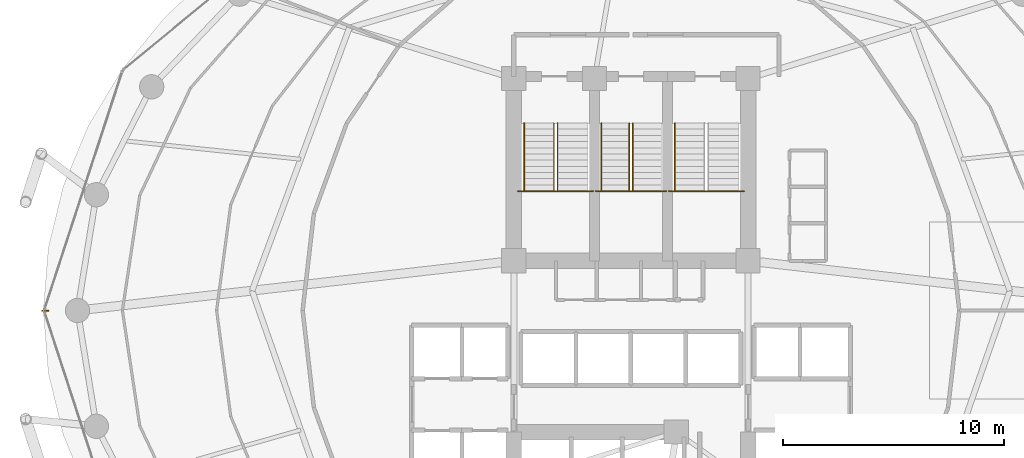
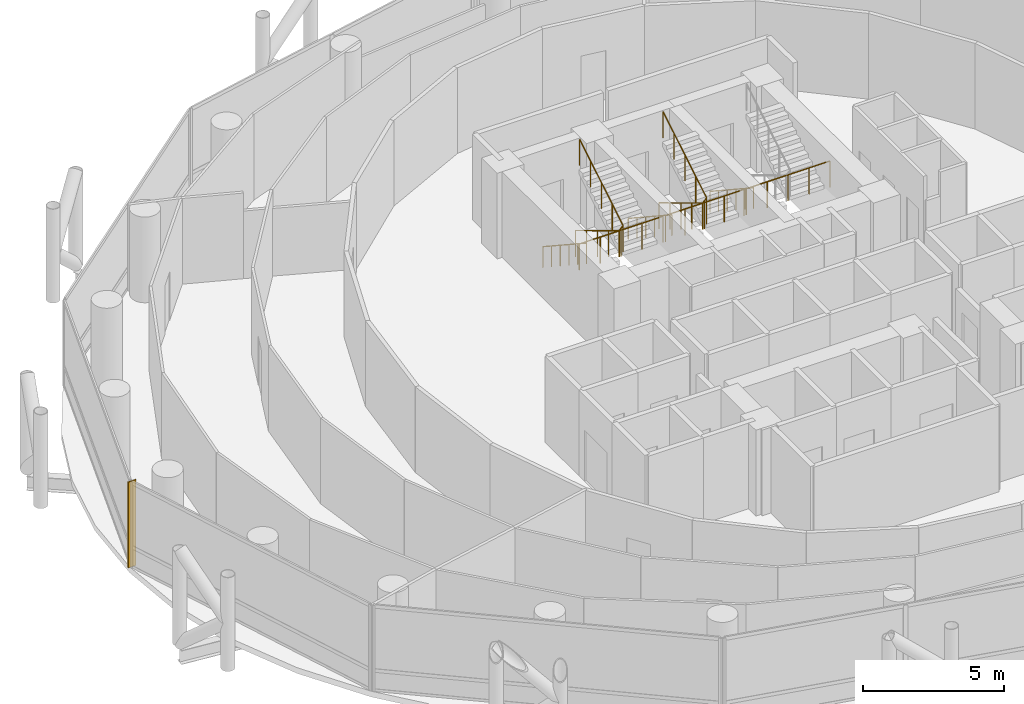
# One storey, part 26 of 27: 8 railings, 1 shading device.
"""IFC4 building model written with IfcOpenShell, lengths in metres."""

from ifc_helpers import new_model, si_unit, direction, frame, origin, origin_2d, place, context, subcontext, project, spatial, polyline, rectangle, outline, extrude, material, layer, layer_set, type_object, element, save


model = new_model("IFC4")

# Units and contexts
model_context = context("Model", 3, precision=1e-05, world=origin(), true_north=direction((0.0, 1.0)))
body_context = subcontext(model_context, "Body", "Model", "MODEL_VIEW")
ifc_project = project(units=[si_unit("LENGTHUNIT", "METRE"), si_unit("AREAUNIT", "SQUARE_METRE"), si_unit("VOLUMEUNIT", "CUBIC_METRE"), si_unit("PLANEANGLEUNIT", "RADIAN"), si_unit("MASSUNIT", "GRAM", prefix="KILO")], contexts=[model_context])

# Site, building, storey
site_placement = place(None, origin())
site = spatial("IfcSite", under=ifc_project, at=site_placement, CompositionType="ELEMENT")
building_placement = place(site_placement, origin())
building = spatial("IfcBuilding", under=site, at=building_placement, Name="Nuhasar Tower", CompositionType="ELEMENT")
storey_placement = place(building_placement, frame((0.0, 0.0, 102.0)))
storey = spatial("IfcBuildingStorey", under=building, at=storey_placement, Name="L24", CompositionType="ELEMENT", Elevation=102.0)

# Railings
ifc_material_1 = material(Name="Steel S355", Category="steel")
railing_type_1 = type_object("IfcRailingType", Name="RLG-STAIR-GUARD-1150", PredefinedType="GUARDRAIL", material=ifc_material_1)
railing_1_placement = place(storey_placement, frame((33.8798828125, 32.205078125, 2.02490234375)))
element("IfcRailing", 1, at=railing_1_placement, inside=storey, type_object=railing_type_1, Name="L24 Stair ST-01 Guardrail LND", PredefinedType="GUARDRAIL", context=body_context, shape_type="SweptSolid", body=[
    extrude(outline(polyline([(0.024169921875, 0.0), (0.01708984375, 0.01708984375), (0.0, 0.024169921875), (-0.01708984375, 0.01708984375), (-0.024169921875, 0.0), (-0.01708984375, -0.01708984375), (0.0, -0.024169921875), (0.01708984375, -0.01708984375), (0.024169921875, 0.0)])), frame((0.0, 0.0, 1.1259765625), z_axis=(1.0, 0.0, 0.0), x_axis=(0.0, 1.0, 0.0)), (0.0, 0.0, 1.0), 3.420166015625),
    extrude(outline(polyline([(0.02099609375, 0.0), (0.014892578125, 0.014892578125), (0.0, 0.02099609375), (-0.014892578125, 0.014892578125), (-0.02099609375, 0.0), (-0.014892578125, -0.014892578125), (0.0, -0.02099609375), (0.014892578125, -0.014892578125), (0.02099609375, 0.0)])), origin(), (0.0, 0.0, 1.0), 1.101806640625),
    extrude(outline(polyline([(0.02099609375, 0.0), (0.014892578125, 0.014892578125), (0.0, 0.02099609375), (-0.014892578125, 0.014892578125), (-0.02099609375, 0.0), (-0.014892578125, -0.014892578125), (0.0, -0.02099609375), (0.014892578125, -0.014892578125), (0.02099609375, 0.0)])), frame((0.85498046875, 0.0, 0.0)), (0.0, 0.0, 1.0), 1.101806640625),
    extrude(outline(polyline([(0.02099609375, 0.0), (0.014892578125, 0.014892578125), (0.0, 0.02099609375), (-0.014892578125, 0.014892578125), (-0.02099609375, 0.0), (-0.014892578125, -0.014892578125), (0.0, -0.02099609375), (0.014892578125, -0.014892578125), (0.02099609375, 0.0)])), frame((1.7099609375, 0.0, 0.0)), (0.0, 0.0, 1.0), 1.101806640625),
    extrude(outline(polyline([(0.02099609375, 0.0), (0.014892578125, 0.014892578125), (0.0, 0.02099609375), (-0.014892578125, 0.014892578125), (-0.02099609375, 0.0), (-0.014892578125, -0.014892578125), (0.0, -0.02099609375), (0.014892578125, -0.014892578125), (0.02099609375, 0.0)])), frame((2.565185546875, 0.0, 0.0)), (0.0, 0.0, 1.0), 1.101806640625),
    extrude(outline(polyline([(0.02099609375, 0.0), (0.014892578125, 0.014892578125), (0.0, 0.02099609375), (-0.014892578125, 0.014892578125), (-0.02099609375, 0.0), (-0.014892578125, -0.014892578125), (0.0, -0.02099609375), (0.014892578125, -0.014892578125), (0.02099609375, 0.0)])), frame((3.420166015625, 0.0, 0.0)), (0.0, 0.0, 1.0), 1.101806640625),
])
railing_2_placement = place(storey_placement, frame((35.510009765625, 35.284912109375, 0.1689453125)))
element("IfcRailing", 2, at=railing_2_placement, inside=storey, type_object=railing_type_1, Name="L24 Stair ST-01 Guardrail SLT", PredefinedType="GUARDRAIL", context=body_context, shape_type="SweptSolid", body=[
    extrude(outline(polyline([(0.024169921875, 0.0), (0.01708984375, 0.01708984375), (0.0, 0.024169921875), (-0.01708984375, 0.01708984375), (-0.024169921875, 0.0), (-0.01708984375, -0.01708984375), (0.0, -0.024169921875), (0.01708984375, -0.01708984375), (0.024169921875, 0.0)])), frame((0.0, 0.0, 1.1259765625), z_axis=(0.0, -0.856502863198, 0.516142272377), x_axis=(1.0, 0.0, 0.0)), (0.0, 0.0, 1.0), 3.595703125),
    extrude(outline(polyline([(0.024169921875, 0.0), (0.01708984375, 0.01708984375), (0.0, 0.024169921875), (-0.01708984375, 0.01708984375), (-0.024169921875, 0.0), (-0.01708984375, -0.01708984375), (0.0, -0.024169921875), (0.01708984375, -0.01708984375), (0.024169921875, 0.0)])), frame((0.0, -3.079833984375, 2.98193359375), z_axis=(0.686900628141, 0.0, 0.726751351605), x_axis=(0.0, 1.0, 0.0)), (0.0, 0.0, 1.0), 0.23291015625),
    extrude(outline(polyline([(0.024169921875, 0.0), (0.01708984375, 0.01708984375), (0.0, 0.024169921875), (-0.01708984375, 0.01708984375), (-0.024169921875, 0.0), (-0.01708984375, -0.01708984375), (0.0, -0.024169921875), (0.01708984375, -0.01708984375), (0.024169921875, 0.0)])), frame((0.159912109375, -3.079833984375, 3.15087890625), z_axis=(0.0, 0.856502863198, 0.516142272377), x_axis=(-1.0, 0.0, 0.0)), (0.0, 0.0, 1.0), 3.595703125),
    extrude(outline(polyline([(0.02099609375, 0.0), (0.014892578125, 0.014892578125), (0.0, 0.02099609375), (-0.014892578125, 0.014892578125), (-0.02099609375, 0.0), (-0.014892578125, -0.014892578125), (0.0, -0.02099609375), (0.014892578125, -0.014892578125), (0.02099609375, 0.0)])), origin(), (0.0, 0.0, 1.0), 1.101806640625),
    extrude(outline(polyline([(0.02099609375, 0.0), (0.014892578125, 0.014892578125), (0.0, 0.02099609375), (-0.014892578125, 0.014892578125), (-0.02099609375, 0.0), (-0.014892578125, -0.014892578125), (0.0, -0.02099609375), (0.014892578125, -0.014892578125), (0.02099609375, 0.0)])), frame((0.0, -0.77001953125, 0.4638671875)), (0.0, 0.0, 1.0), 1.101806640625),
    extrude(outline(polyline([(0.02099609375, 0.0), (0.014892578125, 0.014892578125), (0.0, 0.02099609375), (-0.014892578125, 0.014892578125), (-0.02099609375, 0.0), (-0.014892578125, -0.014892578125), (0.0, -0.02099609375), (0.014892578125, -0.014892578125), (0.02099609375, 0.0)])), frame((0.0, -1.5400390625, 0.927978515625)), (0.0, 0.0, 1.0), 1.101806640625),
    extrude(outline(polyline([(0.02099609375, 0.0), (0.014892578125, 0.014892578125), (0.0, 0.02099609375), (-0.014892578125, 0.014892578125), (-0.02099609375, 0.0), (-0.014892578125, -0.014892578125), (0.0, -0.02099609375), (0.014892578125, -0.014892578125), (0.02099609375, 0.0)])), frame((0.0, -2.309814453125, 1.39208984375)), (0.0, 0.0, 1.0), 1.101806640625),
    extrude(outline(polyline([(0.02099609375, 0.0), (0.014892578125, 0.014892578125), (0.0, 0.02099609375), (-0.014892578125, 0.014892578125), (-0.02099609375, 0.0), (-0.014892578125, -0.014892578125), (0.0, -0.02099609375), (0.014892578125, -0.014892578125), (0.02099609375, 0.0)])), frame((0.0, -3.079833984375, 1.85595703125)), (0.0, 0.0, 1.0), 1.101806640625),
    extrude(outline(polyline([(0.02099609375, 0.0), (0.014892578125, 0.014892578125), (0.0, 0.02099609375), (-0.014892578125, 0.014892578125), (-0.02099609375, 0.0), (-0.014892578125, -0.014892578125), (0.0, -0.02099609375), (0.014892578125, -0.014892578125), (0.02099609375, 0.0)])), frame((0.159912109375, -3.079833984375, 2.025146484375)), (0.0, 0.0, 1.0), 1.101806640625),
    extrude(outline(polyline([(0.02099609375, 0.0), (0.014892578125, 0.014892578125), (0.0, 0.02099609375), (-0.014892578125, 0.014892578125), (-0.02099609375, 0.0), (-0.014892578125, -0.014892578125), (0.0, -0.02099609375), (0.014892578125, -0.014892578125), (0.02099609375, 0.0)])), frame((0.159912109375, -2.309814453125, 2.4892578125)), (0.0, 0.0, 1.0), 1.101806640625),
    extrude(outline(polyline([(0.02099609375, 0.0), (0.014892578125, 0.014892578125), (0.0, 0.02099609375), (-0.014892578125, 0.014892578125), (-0.02099609375, 0.0), (-0.014892578125, -0.014892578125), (0.0, -0.02099609375), (0.014892578125, -0.014892578125), (0.02099609375, 0.0)])), frame((0.159912109375, -1.5400390625, 2.953125)), (0.0, 0.0, 1.0), 1.101806640625),
    extrude(outline(polyline([(0.02099609375, 0.0), (0.014892578125, 0.014892578125), (0.0, 0.02099609375), (-0.014892578125, 0.014892578125), (-0.02099609375, 0.0), (-0.014892578125, -0.014892578125), (0.0, -0.02099609375), (0.014892578125, -0.014892578125), (0.02099609375, 0.0)])), frame((0.159912109375, -0.77001953125, 3.4169921875)), (0.0, 0.0, 1.0), 1.101806640625),
    extrude(outline(polyline([(0.02099609375, 0.0), (0.014892578125, 0.014892578125), (0.0, 0.02099609375), (-0.014892578125, 0.014892578125), (-0.02099609375, 0.0), (-0.014892578125, -0.014892578125), (0.0, -0.02099609375), (0.014892578125, -0.014892578125), (0.02099609375, 0.0)])), frame((0.159912109375, 0.0, 3.881103515625)), (0.0, 0.0, 1.0), 1.101806640625),
])
railing_3_placement = place(storey_placement, frame((37.39990234375, 32.205078125, 2.02490234375)))
element("IfcRailing", 3, at=railing_3_placement, inside=storey, type_object=railing_type_1, Name="L24 Stair ST-03 Guardrail LND", PredefinedType="GUARDRAIL", context=body_context, shape_type="SweptSolid", body=[
    extrude(outline(polyline([(0.024169921875, 0.0), (0.01708984375, 0.01708984375), (0.0, 0.024169921875), (-0.01708984375, 0.01708984375), (-0.024169921875, 0.0), (-0.01708984375, -0.01708984375), (0.0, -0.024169921875), (0.01708984375, -0.01708984375), (0.024169921875, 0.0)])), frame((0.0, 0.0, 1.1259765625), z_axis=(1.0, 0.0, 0.0), x_axis=(0.0, 1.0, 0.0)), (0.0, 0.0, 1.0), 3.2001953125),
    extrude(outline(polyline([(0.02099609375, 0.0), (0.014892578125, 0.014892578125), (0.0, 0.02099609375), (-0.014892578125, 0.014892578125), (-0.02099609375, 0.0), (-0.014892578125, -0.014892578125), (0.0, -0.02099609375), (0.014892578125, -0.014892578125), (0.02099609375, 0.0)])), origin(), (0.0, 0.0, 1.0), 1.101806640625),
    extrude(outline(polyline([(0.02099609375, 0.0), (0.014892578125, 0.014892578125), (0.0, 0.02099609375), (-0.014892578125, 0.014892578125), (-0.02099609375, 0.0), (-0.014892578125, -0.014892578125), (0.0, -0.02099609375), (0.014892578125, -0.014892578125), (0.02099609375, 0.0)])), frame((0.800048828125, 0.0, 0.0)), (0.0, 0.0, 1.0), 1.101806640625),
    extrude(outline(polyline([(0.02099609375, 0.0), (0.014892578125, 0.014892578125), (0.0, 0.02099609375), (-0.014892578125, 0.014892578125), (-0.02099609375, 0.0), (-0.014892578125, -0.014892578125), (0.0, -0.02099609375), (0.014892578125, -0.014892578125), (0.02099609375, 0.0)])), frame((1.60009765625, 0.0, 0.0)), (0.0, 0.0, 1.0), 1.101806640625),
    extrude(outline(polyline([(0.02099609375, 0.0), (0.014892578125, 0.014892578125), (0.0, 0.02099609375), (-0.014892578125, 0.014892578125), (-0.02099609375, 0.0), (-0.014892578125, -0.014892578125), (0.0, -0.02099609375), (0.014892578125, -0.014892578125), (0.02099609375, 0.0)])), frame((2.400146484375, 0.0, 0.0)), (0.0, 0.0, 1.0), 1.101806640625),
    extrude(outline(polyline([(0.02099609375, 0.0), (0.014892578125, 0.014892578125), (0.0, 0.02099609375), (-0.014892578125, 0.014892578125), (-0.02099609375, 0.0), (-0.014892578125, -0.014892578125), (0.0, -0.02099609375), (0.014892578125, -0.014892578125), (0.02099609375, 0.0)])), frame((3.2001953125, 0.0, 0.0)), (0.0, 0.0, 1.0), 1.101806640625),
])
railing_4_placement = place(storey_placement, frame((38.919921875, 35.284912109375, 0.1689453125)))
element("IfcRailing", 4, at=railing_4_placement, inside=storey, type_object=railing_type_1, Name="L24 Stair ST-03 Guardrail SLT", PredefinedType="GUARDRAIL", context=body_context, shape_type="SweptSolid", body=[
    extrude(outline(polyline([(0.024169921875, 0.0), (0.01708984375, 0.01708984375), (0.0, 0.024169921875), (-0.01708984375, 0.01708984375), (-0.024169921875, 0.0), (-0.01708984375, -0.01708984375), (0.0, -0.024169921875), (0.01708984375, -0.01708984375), (0.024169921875, 0.0)])), frame((0.0, 0.0, 1.1259765625), z_axis=(0.0, -0.856502863198, 0.516142272377), x_axis=(1.0, 0.0, 0.0)), (0.0, 0.0, 1.0), 3.595703125),
    extrude(outline(polyline([(0.024169921875, 0.0), (0.01708984375, 0.01708984375), (0.0, 0.024169921875), (-0.01708984375, 0.01708984375), (-0.024169921875, 0.0), (-0.01708984375, -0.01708984375), (0.0, -0.024169921875), (0.01708984375, -0.01708984375), (0.024169921875, 0.0)])), frame((0.0, -3.079833984375, 2.98193359375), z_axis=(0.687453921059, 0.0, 0.726227998924), x_axis=(0.0, 1.0, 0.0)), (0.0, 0.0, 1.0), 0.23291015625),
    extrude(outline(polyline([(0.024169921875, 0.0), (0.01708984375, 0.01708984375), (0.0, 0.024169921875), (-0.01708984375, 0.01708984375), (-0.024169921875, 0.0), (-0.01708984375, -0.01708984375), (0.0, -0.024169921875), (0.01708984375, -0.01708984375), (0.024169921875, 0.0)])), frame((0.16015625, -3.079833984375, 3.15087890625), z_axis=(0.0, 0.856502863198, 0.516142272377), x_axis=(-1.0, 0.0, 0.0)), (0.0, 0.0, 1.0), 3.595703125),
    extrude(outline(polyline([(0.02099609375, 0.0), (0.014892578125, 0.014892578125), (0.0, 0.02099609375), (-0.014892578125, 0.014892578125), (-0.02099609375, 0.0), (-0.014892578125, -0.014892578125), (0.0, -0.02099609375), (0.014892578125, -0.014892578125), (0.02099609375, 0.0)])), origin(), (0.0, 0.0, 1.0), 1.101806640625),
    extrude(outline(polyline([(0.02099609375, 0.0), (0.014892578125, 0.014892578125), (0.0, 0.02099609375), (-0.014892578125, 0.014892578125), (-0.02099609375, 0.0), (-0.014892578125, -0.014892578125), (0.0, -0.02099609375), (0.014892578125, -0.014892578125), (0.02099609375, 0.0)])), frame((0.0, -0.77001953125, 0.4638671875)), (0.0, 0.0, 1.0), 1.101806640625),
    extrude(outline(polyline([(0.02099609375, 0.0), (0.014892578125, 0.014892578125), (0.0, 0.02099609375), (-0.014892578125, 0.014892578125), (-0.02099609375, 0.0), (-0.014892578125, -0.014892578125), (0.0, -0.02099609375), (0.014892578125, -0.014892578125), (0.02099609375, 0.0)])), frame((0.0, -1.5400390625, 0.927978515625)), (0.0, 0.0, 1.0), 1.101806640625),
    extrude(outline(polyline([(0.02099609375, 0.0), (0.014892578125, 0.014892578125), (0.0, 0.02099609375), (-0.014892578125, 0.014892578125), (-0.02099609375, 0.0), (-0.014892578125, -0.014892578125), (0.0, -0.02099609375), (0.014892578125, -0.014892578125), (0.02099609375, 0.0)])), frame((0.0, -2.309814453125, 1.39208984375)), (0.0, 0.0, 1.0), 1.101806640625),
    extrude(outline(polyline([(0.02099609375, 0.0), (0.014892578125, 0.014892578125), (0.0, 0.02099609375), (-0.014892578125, 0.014892578125), (-0.02099609375, 0.0), (-0.014892578125, -0.014892578125), (0.0, -0.02099609375), (0.014892578125, -0.014892578125), (0.02099609375, 0.0)])), frame((0.0, -3.079833984375, 1.85595703125)), (0.0, 0.0, 1.0), 1.101806640625),
    extrude(outline(polyline([(0.02099609375, 0.0), (0.014892578125, 0.014892578125), (0.0, 0.02099609375), (-0.014892578125, 0.014892578125), (-0.02099609375, 0.0), (-0.014892578125, -0.014892578125), (0.0, -0.02099609375), (0.014892578125, -0.014892578125), (0.02099609375, 0.0)])), frame((0.16015625, -3.079833984375, 2.025146484375)), (0.0, 0.0, 1.0), 1.101806640625),
    extrude(outline(polyline([(0.02099609375, 0.0), (0.014892578125, 0.014892578125), (0.0, 0.02099609375), (-0.014892578125, 0.014892578125), (-0.02099609375, 0.0), (-0.014892578125, -0.014892578125), (0.0, -0.02099609375), (0.014892578125, -0.014892578125), (0.02099609375, 0.0)])), frame((0.16015625, -2.309814453125, 2.4892578125)), (0.0, 0.0, 1.0), 1.101806640625),
    extrude(outline(polyline([(0.02099609375, 0.0), (0.014892578125, 0.014892578125), (0.0, 0.02099609375), (-0.014892578125, 0.014892578125), (-0.02099609375, 0.0), (-0.014892578125, -0.014892578125), (0.0, -0.02099609375), (0.014892578125, -0.014892578125), (0.02099609375, 0.0)])), frame((0.16015625, -1.5400390625, 2.953125)), (0.0, 0.0, 1.0), 1.101806640625),
    extrude(outline(polyline([(0.02099609375, 0.0), (0.014892578125, 0.014892578125), (0.0, 0.02099609375), (-0.014892578125, 0.014892578125), (-0.02099609375, 0.0), (-0.014892578125, -0.014892578125), (0.0, -0.02099609375), (0.014892578125, -0.014892578125), (0.02099609375, 0.0)])), frame((0.16015625, -0.77001953125, 3.4169921875)), (0.0, 0.0, 1.0), 1.101806640625),
    extrude(outline(polyline([(0.02099609375, 0.0), (0.014892578125, 0.014892578125), (0.0, 0.02099609375), (-0.014892578125, 0.014892578125), (-0.02099609375, 0.0), (-0.014892578125, -0.014892578125), (0.0, -0.02099609375), (0.014892578125, -0.014892578125), (0.02099609375, 0.0)])), frame((0.16015625, 0.0, 3.881103515625)), (0.0, 0.0, 1.0), 1.101806640625),
])
railing_5_placement = place(storey_placement, frame((40.699951171875, 32.205078125, 2.02490234375)))
element("IfcRailing", 5, at=railing_5_placement, inside=storey, type_object=railing_type_1, Name="L24 Stair ST-02 Guardrail LND", PredefinedType="GUARDRAIL", context=body_context, shape_type="SweptSolid", body=[
    extrude(outline(polyline([(0.024169921875, 0.0), (0.01708984375, 0.01708984375), (0.0, 0.024169921875), (-0.01708984375, 0.01708984375), (-0.024169921875, 0.0), (-0.01708984375, -0.01708984375), (0.0, -0.024169921875), (0.01708984375, -0.01708984375), (0.024169921875, 0.0)])), frame((0.0, 0.0, 1.1259765625), z_axis=(1.0, 0.0, 0.0), x_axis=(0.0, 1.0, 0.0)), (0.0, 0.0, 1.0), 3.420166015625),
    extrude(outline(polyline([(0.02099609375, 0.0), (0.014892578125, 0.014892578125), (0.0, 0.02099609375), (-0.014892578125, 0.014892578125), (-0.02099609375, 0.0), (-0.014892578125, -0.014892578125), (0.0, -0.02099609375), (0.014892578125, -0.014892578125), (0.02099609375, 0.0)])), origin(), (0.0, 0.0, 1.0), 1.101806640625),
    extrude(outline(polyline([(0.02099609375, 0.0), (0.014892578125, 0.014892578125), (0.0, 0.02099609375), (-0.014892578125, 0.014892578125), (-0.02099609375, 0.0), (-0.014892578125, -0.014892578125), (0.0, -0.02099609375), (0.014892578125, -0.014892578125), (0.02099609375, 0.0)])), frame((0.85498046875, 0.0, 0.0)), (0.0, 0.0, 1.0), 1.101806640625),
    extrude(outline(polyline([(0.02099609375, 0.0), (0.014892578125, 0.014892578125), (0.0, 0.02099609375), (-0.014892578125, 0.014892578125), (-0.02099609375, 0.0), (-0.014892578125, -0.014892578125), (0.0, -0.02099609375), (0.014892578125, -0.014892578125), (0.02099609375, 0.0)])), frame((1.7099609375, 0.0, 0.0)), (0.0, 0.0, 1.0), 1.101806640625),
    extrude(outline(polyline([(0.02099609375, 0.0), (0.014892578125, 0.014892578125), (0.0, 0.02099609375), (-0.014892578125, 0.014892578125), (-0.02099609375, 0.0), (-0.014892578125, -0.014892578125), (0.0, -0.02099609375), (0.014892578125, -0.014892578125), (0.02099609375, 0.0)])), frame((2.565185546875, 0.0, 0.0)), (0.0, 0.0, 1.0), 1.101806640625),
    extrude(outline(polyline([(0.02099609375, 0.0), (0.014892578125, 0.014892578125), (0.0, 0.02099609375), (-0.014892578125, 0.014892578125), (-0.02099609375, 0.0), (-0.014892578125, -0.014892578125), (0.0, -0.02099609375), (0.014892578125, -0.014892578125), (0.02099609375, 0.0)])), frame((3.420166015625, 0.0, 0.0)), (0.0, 0.0, 1.0), 1.101806640625),
])
ifc_material_2 = material(Name="Stainless Steel 316L", Category="steel")
railing_type_2 = type_object("IfcRailingType", Name="RLG-STAIR-HAND-920", PredefinedType="HANDRAIL", material=ifc_material_2)
railing_6_placement = place(storey_placement, frame((34.169921875, 35.284912109375, 0.1689453125)))
element("IfcRailing", 6, at=railing_6_placement, inside=storey, type_object=railing_type_2, Name="L24 Stair ST-01 Handrail HND1", PredefinedType="HANDRAIL", context=body_context, shape_type="SweptSolid", body=[
    extrude(outline(polyline([(0.024169921875, 0.0), (0.01708984375, 0.01708984375), (0.0, 0.024169921875), (-0.01708984375, 0.01708984375), (-0.024169921875, 0.0), (-0.01708984375, -0.01708984375), (0.0, -0.024169921875), (0.01708984375, -0.01708984375), (0.024169921875, 0.0)])), frame((0.0, 0.0, 0.89599609375), z_axis=(0.0, -0.835549111106, 0.549415765091), x_axis=(1.0, 0.0, 0.0)), (0.0, 0.0, 1.0), 3.68603515625),
    extrude(outline(polyline([(0.02099609375, 0.0), (0.014892578125, 0.014892578125), (0.0, 0.02099609375), (-0.014892578125, 0.014892578125), (-0.02099609375, 0.0), (-0.014892578125, -0.014892578125), (0.0, -0.02099609375), (0.014892578125, -0.014892578125), (0.02099609375, 0.0)])), origin(), (0.0, 0.0, 1.0), 0.871826171875),
    extrude(outline(polyline([(0.02099609375, 0.0), (0.014892578125, 0.014892578125), (0.0, 0.02099609375), (-0.014892578125, 0.014892578125), (-0.02099609375, 0.0), (-0.014892578125, -0.014892578125), (0.0, -0.02099609375), (0.014892578125, -0.014892578125), (0.02099609375, 0.0)])), frame((0.0, -0.615966796875, 0.405029296875)), (0.0, 0.0, 1.0), 0.871826171875),
    extrude(outline(polyline([(0.02099609375, 0.0), (0.014892578125, 0.014892578125), (0.0, 0.02099609375), (-0.014892578125, 0.014892578125), (-0.02099609375, 0.0), (-0.014892578125, -0.014892578125), (0.0, -0.02099609375), (0.014892578125, -0.014892578125), (0.02099609375, 0.0)])), frame((0.0, -1.23193359375, 0.81005859375)), (0.0, 0.0, 1.0), 0.871826171875),
    extrude(outline(polyline([(0.02099609375, 0.0), (0.014892578125, 0.014892578125), (0.0, 0.02099609375), (-0.014892578125, 0.014892578125), (-0.02099609375, 0.0), (-0.014892578125, -0.014892578125), (0.0, -0.02099609375), (0.014892578125, -0.014892578125), (0.02099609375, 0.0)])), frame((0.0, -1.847900390625, 1.215087890625)), (0.0, 0.0, 1.0), 0.871826171875),
    extrude(outline(polyline([(0.02099609375, 0.0), (0.014892578125, 0.014892578125), (0.0, 0.02099609375), (-0.014892578125, 0.014892578125), (-0.02099609375, 0.0), (-0.014892578125, -0.014892578125), (0.0, -0.02099609375), (0.014892578125, -0.014892578125), (0.02099609375, 0.0)])), frame((0.0, -2.4638671875, 1.6201171875)), (0.0, 0.0, 1.0), 0.871826171875),
    extrude(outline(polyline([(0.02099609375, 0.0), (0.014892578125, 0.014892578125), (0.0, 0.02099609375), (-0.014892578125, 0.014892578125), (-0.02099609375, 0.0), (-0.014892578125, -0.014892578125), (0.0, -0.02099609375), (0.014892578125, -0.014892578125), (0.02099609375, 0.0)])), frame((0.0, -3.079833984375, 2.025146484375)), (0.0, 0.0, 1.0), 0.871826171875),
])
railing_7_placement = place(storey_placement, frame((37.659912109375, 35.284912109375, 0.1689453125)))
element("IfcRailing", 7, at=railing_7_placement, inside=storey, type_object=railing_type_2, Name="L24 Stair ST-03 Handrail HND1", PredefinedType="HANDRAIL", context=body_context, shape_type="SweptSolid", body=[
    extrude(outline(polyline([(0.024169921875, 0.0), (0.01708984375, 0.01708984375), (0.0, 0.024169921875), (-0.01708984375, 0.01708984375), (-0.024169921875, 0.0), (-0.01708984375, -0.01708984375), (0.0, -0.024169921875), (0.01708984375, -0.01708984375), (0.024169921875, 0.0)])), frame((0.0, 0.0, 0.89599609375), z_axis=(0.0, -0.835549111106, 0.549415765091), x_axis=(1.0, 0.0, 0.0)), (0.0, 0.0, 1.0), 3.68603515625),
    extrude(outline(polyline([(0.02099609375, 0.0), (0.014892578125, 0.014892578125), (0.0, 0.02099609375), (-0.014892578125, 0.014892578125), (-0.02099609375, 0.0), (-0.014892578125, -0.014892578125), (0.0, -0.02099609375), (0.014892578125, -0.014892578125), (0.02099609375, 0.0)])), origin(), (0.0, 0.0, 1.0), 0.871826171875),
    extrude(outline(polyline([(0.02099609375, 0.0), (0.014892578125, 0.014892578125), (0.0, 0.02099609375), (-0.014892578125, 0.014892578125), (-0.02099609375, 0.0), (-0.014892578125, -0.014892578125), (0.0, -0.02099609375), (0.014892578125, -0.014892578125), (0.02099609375, 0.0)])), frame((0.0, -0.615966796875, 0.405029296875)), (0.0, 0.0, 1.0), 0.871826171875),
    extrude(outline(polyline([(0.02099609375, 0.0), (0.014892578125, 0.014892578125), (0.0, 0.02099609375), (-0.014892578125, 0.014892578125), (-0.02099609375, 0.0), (-0.014892578125, -0.014892578125), (0.0, -0.02099609375), (0.014892578125, -0.014892578125), (0.02099609375, 0.0)])), frame((0.0, -1.23193359375, 0.81005859375)), (0.0, 0.0, 1.0), 0.871826171875),
    extrude(outline(polyline([(0.02099609375, 0.0), (0.014892578125, 0.014892578125), (0.0, 0.02099609375), (-0.014892578125, 0.014892578125), (-0.02099609375, 0.0), (-0.014892578125, -0.014892578125), (0.0, -0.02099609375), (0.014892578125, -0.014892578125), (0.02099609375, 0.0)])), frame((0.0, -1.847900390625, 1.215087890625)), (0.0, 0.0, 1.0), 0.871826171875),
    extrude(outline(polyline([(0.02099609375, 0.0), (0.014892578125, 0.014892578125), (0.0, 0.02099609375), (-0.014892578125, 0.014892578125), (-0.02099609375, 0.0), (-0.014892578125, -0.014892578125), (0.0, -0.02099609375), (0.014892578125, -0.014892578125), (0.02099609375, 0.0)])), frame((0.0, -2.4638671875, 1.6201171875)), (0.0, 0.0, 1.0), 0.871826171875),
    extrude(outline(polyline([(0.02099609375, 0.0), (0.014892578125, 0.014892578125), (0.0, 0.02099609375), (-0.014892578125, 0.014892578125), (-0.02099609375, 0.0), (-0.014892578125, -0.014892578125), (0.0, -0.02099609375), (0.014892578125, -0.014892578125), (0.02099609375, 0.0)])), frame((0.0, -3.079833984375, 2.025146484375)), (0.0, 0.0, 1.0), 0.871826171875),
])
railing_8_placement = place(storey_placement, frame((40.989990234375, 35.284912109375, 0.1689453125)))
element("IfcRailing", 8, at=railing_8_placement, inside=storey, type_object=railing_type_2, Name="L24 Stair ST-02 Handrail HND1", PredefinedType="HANDRAIL", context=body_context, shape_type="SweptSolid", body=[
    extrude(outline(polyline([(0.024169921875, 0.0), (0.01708984375, 0.01708984375), (0.0, 0.024169921875), (-0.01708984375, 0.01708984375), (-0.024169921875, 0.0), (-0.01708984375, -0.01708984375), (0.0, -0.024169921875), (0.01708984375, -0.01708984375), (0.024169921875, 0.0)])), frame((0.0, 0.0, 0.89599609375), z_axis=(0.0, -0.835549111106, 0.549415765091), x_axis=(1.0, 0.0, 0.0)), (0.0, 0.0, 1.0), 3.68603515625),
    extrude(outline(polyline([(0.02099609375, 0.0), (0.014892578125, 0.014892578125), (0.0, 0.02099609375), (-0.014892578125, 0.014892578125), (-0.02099609375, 0.0), (-0.014892578125, -0.014892578125), (0.0, -0.02099609375), (0.014892578125, -0.014892578125), (0.02099609375, 0.0)])), origin(), (0.0, 0.0, 1.0), 0.871826171875),
    extrude(outline(polyline([(0.02099609375, 0.0), (0.014892578125, 0.014892578125), (0.0, 0.02099609375), (-0.014892578125, 0.014892578125), (-0.02099609375, 0.0), (-0.014892578125, -0.014892578125), (0.0, -0.02099609375), (0.014892578125, -0.014892578125), (0.02099609375, 0.0)])), frame((0.0, -0.615966796875, 0.405029296875)), (0.0, 0.0, 1.0), 0.871826171875),
    extrude(outline(polyline([(0.02099609375, 0.0), (0.014892578125, 0.014892578125), (0.0, 0.02099609375), (-0.014892578125, 0.014892578125), (-0.02099609375, 0.0), (-0.014892578125, -0.014892578125), (0.0, -0.02099609375), (0.014892578125, -0.014892578125), (0.02099609375, 0.0)])), frame((0.0, -1.23193359375, 0.81005859375)), (0.0, 0.0, 1.0), 0.871826171875),
    extrude(outline(polyline([(0.02099609375, 0.0), (0.014892578125, 0.014892578125), (0.0, 0.02099609375), (-0.014892578125, 0.014892578125), (-0.02099609375, 0.0), (-0.014892578125, -0.014892578125), (0.0, -0.02099609375), (0.014892578125, -0.014892578125), (0.02099609375, 0.0)])), frame((0.0, -1.847900390625, 1.215087890625)), (0.0, 0.0, 1.0), 0.871826171875),
    extrude(outline(polyline([(0.02099609375, 0.0), (0.014892578125, 0.014892578125), (0.0, 0.02099609375), (-0.014892578125, 0.014892578125), (-0.02099609375, 0.0), (-0.014892578125, -0.014892578125), (0.0, -0.02099609375), (0.014892578125, -0.014892578125), (0.02099609375, 0.0)])), frame((0.0, -2.4638671875, 1.6201171875)), (0.0, 0.0, 1.0), 0.871826171875),
    extrude(outline(polyline([(0.02099609375, 0.0), (0.014892578125, 0.014892578125), (0.0, 0.02099609375), (-0.014892578125, 0.014892578125), (-0.02099609375, 0.0), (-0.014892578125, -0.014892578125), (0.0, -0.02099609375), (0.014892578125, -0.014892578125), (0.02099609375, 0.0)])), frame((0.0, -3.079833984375, 2.025146484375)), (0.0, 0.0, 1.0), 0.871826171875),
])

# Shading device
ifc_material_3 = material(Name="Aluminium 6063-T6", Category="aluminium")
ifc_layer = layer(ifc_material_3, 0.044921875)
ifc_layer_set = layer_set([ifc_layer], Name="Aluminium 6063-T6")
shading_device_type = type_object("IfcShadingDeviceType", Name="SHD-FIN-320", PredefinedType="JALOUSIE", material=ifc_layer_set)
shading_device_placement = place(storey_placement, frame((12.489990234375, 26.800048828125, 0.0), z_axis=(0.0, 0.0, 1.0), x_axis=(-1.0, 0.0, 0.0)))
element("IfcShadingDevice", 9, at=shading_device_placement, inside=storey, type_object=shading_device_type, Name="L24 Solar Mashrabiya Fin 02", PredefinedType="JALOUSIE", context=body_context, shape_type="SweptSolid", body=[
    extrude(rectangle(XDim=0.320068359375, YDim=0.044921875, at=origin_2d()), origin(), (0.0, 0.0, 1.0), 3.699951171875),
])

save(model, "model.ifc")
